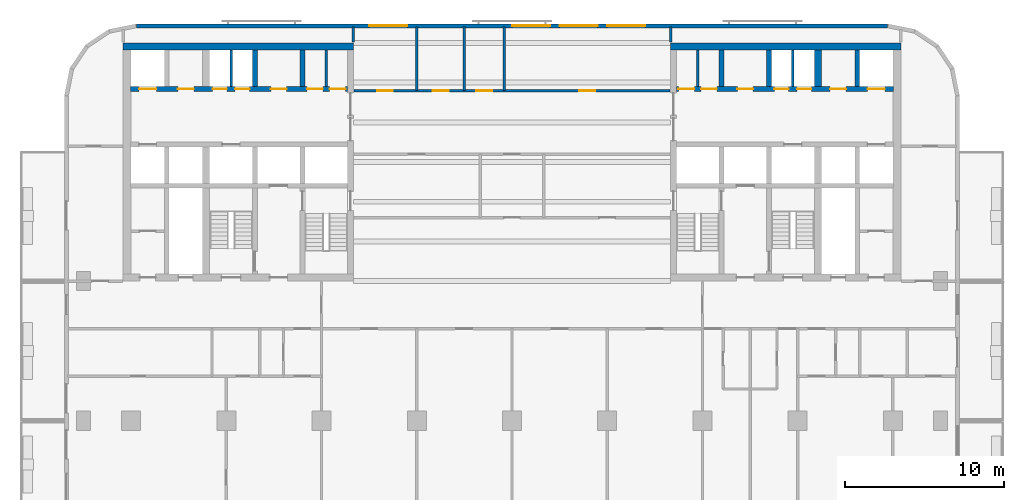
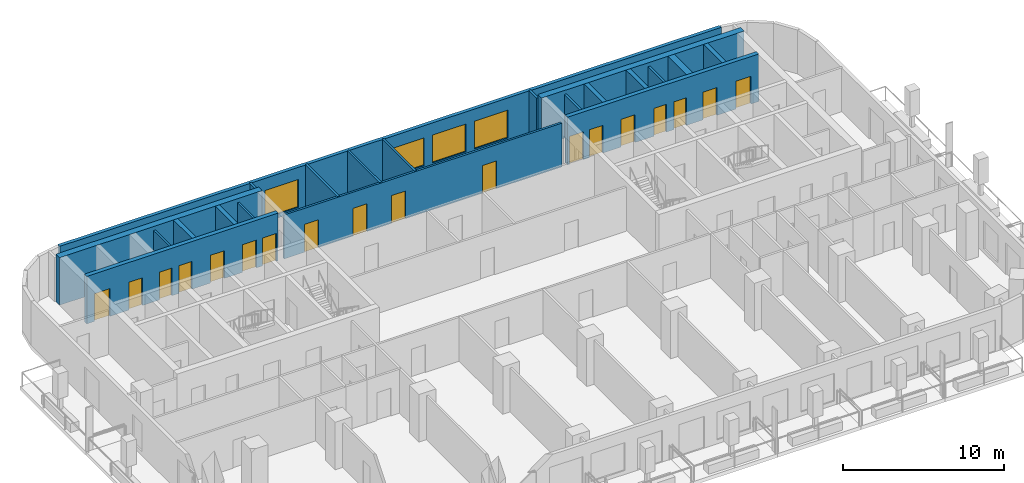
# One storey, part 7 of 12: 21 walls, 18 doors, 4 windows, 22 openings.
"""IFC4 building model written with IfcOpenShell, lengths in metres."""

from ifc_helpers import new_model, si_unit, direction, frame, frame_2d, origin, place, context, subcontext, project, spatial, rectangle, extrude, material, layer, layer_set, type_object, element, fill, save


model = new_model("IFC4")

# Units and contexts
model_context = context("Model", 3, precision=1e-05, world=origin(), true_north=direction((0.0, 1.0)))
body_context = subcontext(model_context, "Body", "Model", "MODEL_VIEW")
ifc_project = project(units=[si_unit("LENGTHUNIT", "METRE"), si_unit("AREAUNIT", "SQUARE_METRE"), si_unit("VOLUMEUNIT", "CUBIC_METRE"), si_unit("PLANEANGLEUNIT", "RADIAN"), si_unit("MASSUNIT", "GRAM", prefix="KILO")], contexts=[model_context])

# Site, building, storey
site_placement = place(None, origin())
site = spatial("IfcSite", under=ifc_project, at=site_placement, CompositionType="ELEMENT")
building_placement = place(site_placement, origin())
building = spatial("IfcBuilding", under=site, at=building_placement, Name="Torana Hotel and Residences", CompositionType="ELEMENT")
storey_placement = place(building_placement, frame((0.0, 0.0, 159.60009765625)))
storey = spatial("IfcBuildingStorey", under=building, at=storey_placement, Name="L41", CompositionType="ELEMENT", Elevation=159.60009765625)

# Wall, openings, doors
ifc_material_1 = material(Name="Concrete C70/85", Category="concrete")
ifc_layer_1 = layer(ifc_material_1, 0.300048828125)
ifc_layer_set_1 = layer_set([ifc_layer_1], Name="CORE WALL 300 C70/85")
wall_type_1 = type_object("IfcWallType", Name="CORE WALL 300 C70/85", PredefinedType="SHEAR", material=ifc_layer_set_1)
wall_1_placement = place(storey_placement, frame((-24.050048828125, -2.89990234375, 0.0), z_axis=(0.0, 0.0, 1.0), x_axis=(1.0, 0.0, 0.0)))
wall_1 = element("IfcWall", 1, at=wall_1_placement, inside=storey, type_object=wall_type_1, Name="Core wall W row-N", PredefinedType="SHEAR", context=body_context, shape_type="SweptSolid", body=[
    extrude(rectangle(XDim=13.699951171875, YDim=0.300048828125, at=frame_2d((6.85009765625, 0.0))), origin(), (0.0, 0.0, 1.0), 3.599853515625),
])
opening_1_placement = place(wall_1_placement, frame((0.550048828125, 0.0, 0.0)))
opening_1 = element("IfcOpeningElement", 2, at=opening_1_placement, cuts=wall_1, Name="Opening LD", PredefinedType="OPENING", context=body_context, shape_type="SweptSolid", body=[
    extrude(rectangle(XDim=1.10009765625, YDim=2.10009765625, at=frame_2d((0.550048828125, 1.050048828125))), frame((0.0, 0.159912109375, 0.0), z_axis=(0.0, -1.0, 0.0), x_axis=(1.0, 0.0, 0.0)), (0.0, 0.0, 1.0), 0.320068359375),
])
opening_2_placement = place(wall_1_placement, frame((6.612548828125, 0.0, 0.0)))
opening_2 = element("IfcOpeningElement", 3, at=opening_2_placement, cuts=wall_1, Name="Opening L41-08", PredefinedType="OPENING", context=body_context, shape_type="SweptSolid", body=[
    extrude(rectangle(XDim=0.89990234375, YDim=2.10009765625, at=frame_2d((0.449951171875, 1.050048828125))), frame((0.0, 0.159912109375, 0.0), z_axis=(0.0, -1.0, 0.0), x_axis=(1.0, 0.0, 0.0)), (0.0, 0.0, 1.0), 0.320068359375),
])
opening_3_placement = place(wall_1_placement, frame((5.1875, 0.0, 0.0)))
opening_3 = element("IfcOpeningElement", 4, at=opening_3_placement, cuts=wall_1, Name="Opening L41-09", PredefinedType="OPENING", context=body_context, shape_type="SweptSolid", body=[
    extrude(rectangle(XDim=0.89990234375, YDim=2.10009765625, at=frame_2d((0.449951171875, 1.050048828125))), frame((0.0, 0.159912109375, 0.0), z_axis=(0.0, -1.0, 0.0), x_axis=(1.0, 0.0, 0.0)), (0.0, 0.0, 1.0), 0.320068359375),
])
opening_4_placement = place(wall_1_placement, frame((12.5625, 0.0, 0.0)))
opening_4 = element("IfcOpeningElement", 5, at=opening_4_placement, cuts=wall_1, Name="Opening L41-10", PredefinedType="OPENING", context=body_context, shape_type="SweptSolid", body=[
    extrude(rectangle(XDim=1.0, YDim=2.10009765625, at=frame_2d((0.5, 1.050048828125))), frame((0.0, 0.159912109375, 0.0), z_axis=(0.0, -1.0, 0.0), x_axis=(1.0, 0.0, 0.0)), (0.0, 0.0, 1.0), 0.320068359375),
])
opening_5_placement = place(wall_1_placement, frame((11.137451171875, 0.0, 0.0)))
opening_5 = element("IfcOpeningElement", 6, at=opening_5_placement, cuts=wall_1, Name="Opening L41-11", PredefinedType="OPENING", context=body_context, shape_type="SweptSolid", body=[
    extrude(rectangle(XDim=1.0, YDim=2.10009765625, at=frame_2d((0.5, 1.050048828125))), frame((0.0, 0.159912109375, 0.0), z_axis=(0.0, -1.0, 0.0), x_axis=(1.0, 0.0, 0.0)), (0.0, 0.0, 1.0), 0.320068359375),
])
opening_6_placement = place(wall_1_placement, frame((8.85009765625, 0.0, 0.0)))
opening_6 = element("IfcOpeningElement", 7, at=opening_6_placement, cuts=wall_1, Name="Opening L41-12", PredefinedType="OPENING", context=body_context, shape_type="SweptSolid", body=[
    extrude(rectangle(XDim=1.0, YDim=2.10009765625, at=frame_2d((0.5, 1.050048828125))), frame((0.0, 0.159912109375, 0.0), z_axis=(0.0, -1.0, 0.0), x_axis=(1.0, 0.0, 0.0)), (0.0, 0.0, 1.0), 0.320068359375),
])
opening_7_placement = place(wall_1_placement, frame((3.0, 0.0, 0.0)))
opening_7 = element("IfcOpeningElement", 8, at=opening_7_placement, cuts=wall_1, Name="Opening L41-13", PredefinedType="OPENING", context=body_context, shape_type="SweptSolid", body=[
    extrude(rectangle(XDim=1.0, YDim=2.10009765625, at=frame_2d((0.5, 1.050048828125))), frame((0.0, 0.159912109375, 0.0), z_axis=(0.0, -1.0, 0.0), x_axis=(1.0, 0.0, 0.0)), (0.0, 0.0, 1.0), 0.320068359375),
])
ifc_material_2 = material(Name="Steel S235", Category="steel")
door_type_1 = type_object("IfcDoorType", Name="CORE ROOM FIRE DOOR D14 1000x2100", OperationType="SINGLE_SWING_LEFT", PredefinedType="DOOR", material=ifc_material_2)
door_1_placement = place(opening_4_placement, origin())
door_1 = element("IfcDoor", 9, at=door_1_placement, inside=storey, type_object=door_type_1, Name="N0A door L41", OperationType="SINGLE_SWING_RIGHT", OverallHeight=2.10009765625, OverallWidth=1.0, PredefinedType="DOOR", context=body_context, shape_type="SweptSolid", body=[
    extrude(rectangle(XDim=1.0, YDim=2.10009765625, at=frame_2d((0.5, 1.050048828125))), frame((0.0, 0.02490234375, 0.0), z_axis=(0.0, -1.0, 0.0), x_axis=(1.0, 0.0, 0.0)), (0.0, 0.0, 1.0), 0.050048828125),
])
fill(opening_4, door_1)
door_2_placement = place(opening_5_placement, origin())
door_2 = element("IfcDoor", 10, at=door_2_placement, inside=storey, type_object=door_type_1, Name="N0B door L41", OperationType="SINGLE_SWING_RIGHT", OverallHeight=2.10009765625, OverallWidth=1.0, PredefinedType="DOOR", context=body_context, shape_type="SweptSolid", body=[
    extrude(rectangle(XDim=1.0, YDim=2.10009765625, at=frame_2d((0.5, 1.050048828125))), frame((0.0, 0.02490234375, 0.0), z_axis=(0.0, -1.0, 0.0), x_axis=(1.0, 0.0, 0.0)), (0.0, 0.0, 1.0), 0.050048828125),
])
fill(opening_5, door_2)
door_3_placement = place(opening_6_placement, origin())
door_3 = element("IfcDoor", 11, at=door_3_placement, inside=storey, type_object=door_type_1, Name="N1 door L41", OperationType="SINGLE_SWING_RIGHT", OverallHeight=2.10009765625, OverallWidth=1.0, PredefinedType="DOOR", context=body_context, shape_type="SweptSolid", body=[
    extrude(rectangle(XDim=1.0, YDim=2.10009765625, at=frame_2d((0.5, 1.050048828125))), frame((0.0, 0.02490234375, 0.0), z_axis=(0.0, -1.0, 0.0), x_axis=(1.0, 0.0, 0.0)), (0.0, 0.0, 1.0), 0.050048828125),
])
fill(opening_6, door_3)
door_4_placement = place(opening_7_placement, origin())
door_4 = element("IfcDoor", 12, at=door_4_placement, inside=storey, type_object=door_type_1, Name="Freed-S1 door L41", OperationType="SINGLE_SWING_RIGHT", OverallHeight=2.10009765625, OverallWidth=1.0, PredefinedType="DOOR", context=body_context, shape_type="SweptSolid", body=[
    extrude(rectangle(XDim=1.0, YDim=2.10009765625, at=frame_2d((0.5, 1.050048828125))), frame((0.0, 0.02490234375, 0.0), z_axis=(0.0, -1.0, 0.0), x_axis=(1.0, 0.0, 0.0)), (0.0, 0.0, 1.0), 0.050048828125),
])
fill(opening_7, door_4)
ifc_material_3 = material(Name="Stainless steel 316", Category="steel")
door_type_2 = type_object("IfcDoorType", Name="LIFT LANDING DOOR LD 1100x2100", OperationType="DOUBLE_DOOR_SLIDING", PredefinedType="USERDEFINED", material=ifc_material_3)
door_5_placement = place(opening_1_placement, origin())
door_5 = element("IfcDoor", 13, at=door_5_placement, inside=storey, type_object=door_type_2, Name="Lift landing door M1 L41", ObjectType="LIFT LANDING DOOR", OperationType="DOUBLE_DOOR_SLIDING", OverallHeight=2.10009765625, OverallWidth=1.10009765625, PredefinedType="USERDEFINED", context=body_context, shape_type="SweptSolid", body=[
    extrude(rectangle(XDim=1.10009765625, YDim=2.10009765625, at=frame_2d((0.550048828125, 1.050048828125))), frame((0.0, 0.02490234375, 0.0), z_axis=(0.0, -1.0, 0.0), x_axis=(1.0, 0.0, 0.0)), (0.0, 0.0, 1.0), 0.050048828125),
])
fill(opening_1, door_5)
ifc_material_4 = material(Name="Steel S235", Category="steel")
door_type_3 = type_object("IfcDoorType", Name="RISER ACCESS DOOR D5 900x2100", OperationType="SINGLE_SWING_LEFT", PredefinedType="DOOR", material=ifc_material_4)
door_6_placement = place(opening_2_placement, origin())
door_6 = element("IfcDoor", 14, at=door_6_placement, inside=storey, type_object=door_type_3, Name="N2A door L41", OperationType="SINGLE_SWING_RIGHT", OverallHeight=2.10009765625, OverallWidth=0.89990234375, PredefinedType="DOOR", context=body_context, shape_type="SweptSolid", body=[
    extrude(rectangle(XDim=0.89990234375, YDim=2.10009765625, at=frame_2d((0.449951171875, 1.050048828125))), frame((0.0, 0.02490234375, 0.0), z_axis=(0.0, -1.0, 0.0), x_axis=(1.0, 0.0, 0.0)), (0.0, 0.0, 1.0), 0.050048828125),
])
fill(opening_2, door_6)
door_7_placement = place(opening_3_placement, origin())
door_7 = element("IfcDoor", 15, at=door_7_placement, inside=storey, type_object=door_type_3, Name="N2B door L41", OperationType="SINGLE_SWING_RIGHT", OverallHeight=2.10009765625, OverallWidth=0.89990234375, PredefinedType="DOOR", context=body_context, shape_type="SweptSolid", body=[
    extrude(rectangle(XDim=0.89990234375, YDim=2.10009765625, at=frame_2d((0.449951171875, 1.050048828125))), frame((0.0, 0.02490234375, 0.0), z_axis=(0.0, -1.0, 0.0), x_axis=(1.0, 0.0, 0.0)), (0.0, 0.0, 1.0), 0.050048828125),
])
fill(opening_3, door_7)

# Walls
for number, where, z_axis, x_axis, name in (
    (16, (-13.199951171875, -2.75, 0.0), (0.0, 0.0, 1.0), (0.0, 1.0, 0.0), "Core wall W x3.05-N"),
    (17, (-16.199951171875, -2.75, 0.0), (0.0, 0.0, 1.0), (0.0, 1.0, 0.0), "Core wall W x6.05-N"),
):
    element("IfcWall", number, at=place(storey_placement, frame(where, z_axis=z_axis, x_axis=x_axis)), inside=storey, type_object=wall_type_1, Name=name, PredefinedType="SHEAR", context=body_context, shape_type="SweptSolid", body=[
        extrude(rectangle(XDim=2.300048828125, YDim=0.300048828125, at=frame_2d((1.14990234375, 0.0))), origin(), (0.0, 0.0, 1.0), 3.599853515625),
    ])

# Wall, openings, doors
wall_2_placement = place(storey_placement, frame((10.35009765625, -2.89990234375, 0.0), z_axis=(0.0, 0.0, 1.0), x_axis=(1.0, 0.0, 0.0)))
wall_2 = element("IfcWall", 18, at=wall_2_placement, inside=storey, type_object=wall_type_1, Name="Core wall E row-N", PredefinedType="SHEAR", context=body_context, shape_type="SweptSolid", body=[
    extrude(rectangle(XDim=13.699951171875, YDim=0.300048828125, at=frame_2d((6.85009765625, 0.0))), origin(), (0.0, 0.0, 1.0), 3.599853515625),
])
opening_8_placement = place(wall_2_placement, frame((12.050048828125, 0.0, 0.0)))
opening_8 = element("IfcOpeningElement", 19, at=opening_8_placement, cuts=wall_2, Name="Opening LD", PredefinedType="OPENING", context=body_context, shape_type="SweptSolid", body=[
    extrude(rectangle(XDim=1.10009765625, YDim=2.10009765625, at=frame_2d((0.550048828125, 1.050048828125))), frame((0.0, 0.159912109375, 0.0), z_axis=(0.0, -1.0, 0.0), x_axis=(1.0, 0.0, 0.0)), (0.0, 0.0, 1.0), 0.320068359375),
])
opening_9_placement = place(wall_2_placement, frame((6.1875, 0.0, 0.0)))
opening_9 = element("IfcOpeningElement", 20, at=opening_9_placement, cuts=wall_2, Name="Opening L41-23", PredefinedType="OPENING", context=body_context, shape_type="SweptSolid", body=[
    extrude(rectangle(XDim=0.89990234375, YDim=2.10009765625, at=frame_2d((0.449951171875, 1.050048828125))), frame((0.0, 0.159912109375, 0.0), z_axis=(0.0, -1.0, 0.0), x_axis=(1.0, 0.0, 0.0)), (0.0, 0.0, 1.0), 0.320068359375),
])
opening_10_placement = place(wall_2_placement, frame((7.612548828125, 0.0, 0.0)))
opening_10 = element("IfcOpeningElement", 21, at=opening_10_placement, cuts=wall_2, Name="Opening L41-24", PredefinedType="OPENING", context=body_context, shape_type="SweptSolid", body=[
    extrude(rectangle(XDim=0.89990234375, YDim=2.10009765625, at=frame_2d((0.449951171875, 1.050048828125))), frame((0.0, 0.159912109375, 0.0), z_axis=(0.0, -1.0, 0.0), x_axis=(1.0, 0.0, 0.0)), (0.0, 0.0, 1.0), 0.320068359375),
])
opening_11_placement = place(wall_2_placement, frame((0.137451171875, 0.0, 0.0)))
opening_11 = element("IfcOpeningElement", 22, at=opening_11_placement, cuts=wall_2, Name="Opening L41-25", PredefinedType="OPENING", context=body_context, shape_type="SweptSolid", body=[
    extrude(rectangle(XDim=1.0, YDim=2.10009765625, at=frame_2d((0.5, 1.050048828125))), frame((0.0, 0.159912109375, 0.0), z_axis=(0.0, -1.0, 0.0), x_axis=(1.0, 0.0, 0.0)), (0.0, 0.0, 1.0), 0.320068359375),
])
opening_12_placement = place(wall_2_placement, frame((1.5625, 0.0, 0.0)))
opening_12 = element("IfcOpeningElement", 23, at=opening_12_placement, cuts=wall_2, Name="Opening L41-26", PredefinedType="OPENING", context=body_context, shape_type="SweptSolid", body=[
    extrude(rectangle(XDim=1.0, YDim=2.10009765625, at=frame_2d((0.5, 1.050048828125))), frame((0.0, 0.159912109375, 0.0), z_axis=(0.0, -1.0, 0.0), x_axis=(1.0, 0.0, 0.0)), (0.0, 0.0, 1.0), 0.320068359375),
])
opening_13_placement = place(wall_2_placement, frame((3.85009765625, 0.0, 0.0)))
opening_13 = element("IfcOpeningElement", 24, at=opening_13_placement, cuts=wall_2, Name="Opening L41-27", PredefinedType="OPENING", context=body_context, shape_type="SweptSolid", body=[
    extrude(rectangle(XDim=1.0, YDim=2.10009765625, at=frame_2d((0.5, 1.050048828125))), frame((0.0, 0.159912109375, 0.0), z_axis=(0.0, -1.0, 0.0), x_axis=(1.0, 0.0, 0.0)), (0.0, 0.0, 1.0), 0.320068359375),
])
opening_14_placement = place(wall_2_placement, frame((9.699951171875, 0.0, 0.0)))
opening_14 = element("IfcOpeningElement", 25, at=opening_14_placement, cuts=wall_2, Name="Opening L41-28", PredefinedType="OPENING", context=body_context, shape_type="SweptSolid", body=[
    extrude(rectangle(XDim=1.0, YDim=2.10009765625, at=frame_2d((0.5, 1.050048828125))), frame((0.0, 0.159912109375, 0.0), z_axis=(0.0, -1.0, 0.0), x_axis=(1.0, 0.0, 0.0)), (0.0, 0.0, 1.0), 0.320068359375),
])
door_8_placement = place(opening_11_placement, origin())
door_8 = element("IfcDoor", 26, at=door_8_placement, inside=storey, type_object=door_type_1, Name="N0A door L41", OperationType="SINGLE_SWING_RIGHT", OverallHeight=2.10009765625, OverallWidth=1.0, PredefinedType="DOOR", context=body_context, shape_type="SweptSolid", body=[
    extrude(rectangle(XDim=1.0, YDim=2.10009765625, at=frame_2d((0.5, 1.050048828125))), frame((0.0, 0.02490234375, 0.0), z_axis=(0.0, -1.0, 0.0), x_axis=(1.0, 0.0, 0.0)), (0.0, 0.0, 1.0), 0.050048828125),
])
fill(opening_11, door_8)
door_9_placement = place(opening_12_placement, origin())
door_9 = element("IfcDoor", 27, at=door_9_placement, inside=storey, type_object=door_type_1, Name="N0B door L41", OperationType="SINGLE_SWING_RIGHT", OverallHeight=2.10009765625, OverallWidth=1.0, PredefinedType="DOOR", context=body_context, shape_type="SweptSolid", body=[
    extrude(rectangle(XDim=1.0, YDim=2.10009765625, at=frame_2d((0.5, 1.050048828125))), frame((0.0, 0.02490234375, 0.0), z_axis=(0.0, -1.0, 0.0), x_axis=(1.0, 0.0, 0.0)), (0.0, 0.0, 1.0), 0.050048828125),
])
fill(opening_12, door_9)
door_10_placement = place(opening_13_placement, origin())
door_10 = element("IfcDoor", 28, at=door_10_placement, inside=storey, type_object=door_type_1, Name="N1 door L41", OperationType="SINGLE_SWING_RIGHT", OverallHeight=2.10009765625, OverallWidth=1.0, PredefinedType="DOOR", context=body_context, shape_type="SweptSolid", body=[
    extrude(rectangle(XDim=1.0, YDim=2.10009765625, at=frame_2d((0.5, 1.050048828125))), frame((0.0, 0.02490234375, 0.0), z_axis=(0.0, -1.0, 0.0), x_axis=(1.0, 0.0, 0.0)), (0.0, 0.0, 1.0), 0.050048828125),
])
fill(opening_13, door_10)
door_11_placement = place(opening_14_placement, origin())
door_11 = element("IfcDoor", 29, at=door_11_placement, inside=storey, type_object=door_type_1, Name="Freed-S2 door L41", OperationType="SINGLE_SWING_RIGHT", OverallHeight=2.10009765625, OverallWidth=1.0, PredefinedType="DOOR", context=body_context, shape_type="SweptSolid", body=[
    extrude(rectangle(XDim=1.0, YDim=2.10009765625, at=frame_2d((0.5, 1.050048828125))), frame((0.0, 0.02490234375, 0.0), z_axis=(0.0, -1.0, 0.0), x_axis=(1.0, 0.0, 0.0)), (0.0, 0.0, 1.0), 0.050048828125),
])
fill(opening_14, door_11)
door_12_placement = place(opening_8_placement, origin())
door_12 = element("IfcDoor", 30, at=door_12_placement, inside=storey, type_object=door_type_2, Name="Lift landing door M3 L41", ObjectType="LIFT LANDING DOOR", OperationType="DOUBLE_DOOR_SLIDING", OverallHeight=2.10009765625, OverallWidth=1.10009765625, PredefinedType="USERDEFINED", context=body_context, shape_type="SweptSolid", body=[
    extrude(rectangle(XDim=1.10009765625, YDim=2.10009765625, at=frame_2d((0.550048828125, 1.050048828125))), frame((0.0, 0.02490234375, 0.0), z_axis=(0.0, -1.0, 0.0), x_axis=(1.0, 0.0, 0.0)), (0.0, 0.0, 1.0), 0.050048828125),
])
fill(opening_8, door_12)
door_13_placement = place(opening_9_placement, origin())
door_13 = element("IfcDoor", 31, at=door_13_placement, inside=storey, type_object=door_type_3, Name="N2A door L41", OperationType="SINGLE_SWING_RIGHT", OverallHeight=2.10009765625, OverallWidth=0.89990234375, PredefinedType="DOOR", context=body_context, shape_type="SweptSolid", body=[
    extrude(rectangle(XDim=0.89990234375, YDim=2.10009765625, at=frame_2d((0.449951171875, 1.050048828125))), frame((0.0, 0.02490234375, 0.0), z_axis=(0.0, -1.0, 0.0), x_axis=(1.0, 0.0, 0.0)), (0.0, 0.0, 1.0), 0.050048828125),
])
fill(opening_9, door_13)
door_14_placement = place(opening_10_placement, origin())
door_14 = element("IfcDoor", 32, at=door_14_placement, inside=storey, type_object=door_type_3, Name="N2B door L41", OperationType="SINGLE_SWING_RIGHT", OverallHeight=2.10009765625, OverallWidth=0.89990234375, PredefinedType="DOOR", context=body_context, shape_type="SweptSolid", body=[
    extrude(rectangle(XDim=0.89990234375, YDim=2.10009765625, at=frame_2d((0.449951171875, 1.050048828125))), frame((0.0, 0.02490234375, 0.0), z_axis=(0.0, -1.0, 0.0), x_axis=(1.0, 0.0, 0.0)), (0.0, 0.0, 1.0), 0.050048828125),
])
fill(opening_10, door_14)

# Walls
for number, where, z_axis, x_axis, name in (
    (33, (13.199951171875, -2.75, 0.0), (0.0, 0.0, 1.0), (0.0, 1.0, 0.0), "Core wall E x3.05-N"),
    (34, (16.199951171875, -2.75, 0.0), (0.0, 0.0, 1.0), (0.0, 1.0, 0.0), "Core wall E x6.05-N"),
    (35, (21.75, -2.75, 0.0), (0.0, 0.0, 1.0), (0.0, 1.0, 0.0), "Core wall E mm-N"),
):
    element("IfcWall", number, at=place(storey_placement, frame(where, z_axis=z_axis, x_axis=x_axis)), inside=storey, type_object=wall_type_1, Name=name, PredefinedType="SHEAR", context=body_context, shape_type="SweptSolid", body=[
        extrude(rectangle(XDim=2.300048828125, YDim=0.300048828125, at=frame_2d((1.14990234375, 0.0))), origin(), (0.0, 0.0, 1.0), 3.599853515625),
    ])
ifc_material_5 = material(Name="Concrete C70/85", Category="concrete")
ifc_layer_2 = layer(ifc_material_5, 0.449951171875)
ifc_layer_set_2 = layer_set([ifc_layer_2], Name="CORE WALL 450 C70/85")
wall_type_2 = type_object("IfcWallType", Name="CORE WALL 450 C70/85", PredefinedType="SHEAR", material=ifc_layer_set_2)
for number, where, z_axis, x_axis, name in (
    (36, (-24.5, -0.22509765625, 0.0), (0.0, 0.0, 1.0), (1.0, 0.0, 0.0), "Core wall W rear"),
    (37, (10.0, -0.22509765625, 0.0), (0.0, 0.0, 1.0), (1.0, 0.0, 0.0), "Core wall E rear"),
):
    element("IfcWall", number, at=place(storey_placement, frame(where, z_axis=z_axis, x_axis=x_axis)), inside=storey, type_object=wall_type_2, Name=name, PredefinedType="SHEAR", context=body_context, shape_type="SweptSolid", body=[
        extrude(rectangle(XDim=14.5, YDim=0.449951171875, at=frame_2d((7.25, 0.0))), origin(), (0.0, 0.0, 1.0), 3.599853515625),
    ])
wall_3_placement = place(storey_placement, frame((19.27490234375, -2.75, 0.0), z_axis=(0.0, 0.0, 1.0), x_axis=(0.0, 1.0, 0.0)))
element("IfcWall", 38, at=wall_3_placement, inside=storey, type_object=wall_type_2, Name="Core wall E hm-N", PredefinedType="SHEAR", context=body_context, shape_type="SweptSolid", body=[
    extrude(rectangle(XDim=2.300048828125, YDim=0.449951171875, at=frame_2d((1.14990234375, 0.0))), origin(), (0.0, 0.0, 1.0), 3.599853515625),
])

# Wall, openings, windows
ifc_material_6 = material(Name="Concrete C40/50 precast", Category="concrete")
ifc_layer_3 = layer(ifc_material_6, 0.10009765625, Name="Perforated block", Category="cladding")
ifc_material_7 = material(Name="Air cavity")
ifc_layer_4 = layer(ifc_material_7, 0.030029296875, Name="Cavity", Category="cavity")
ifc_material_8 = material(Name="Concrete C40/50", Category="concrete")
ifc_layer_5 = layer(ifc_material_8, 0.10009765625, Name="Wall", Category="structure")
ifc_material_9 = material(Name="Plaster and paint")
ifc_layer_6 = layer(ifc_material_9, 0.02001953125, Name="Inner finish", Category="finish")
ifc_layer_set_3 = layer_set([ifc_layer_3, ifc_layer_4, ifc_layer_5, ifc_layer_6], Name="EW2 PERFORATED BLOCK SCREEN WALL 250")
wall_type_3 = type_object("IfcWallType", Name="EW2 PERFORATED BLOCK SCREEN WALL 250", PredefinedType="SOLIDWALL", material=ifc_layer_set_3)
wall_4_placement = place(storey_placement, frame((23.67529296875, 1.074951171875, 0.0), z_axis=(0.0, 0.0, 1.0), x_axis=(-1.0, 0.0, 0.0)))
wall_4 = element("IfcWall", 39, at=wall_4_placement, inside=storey, type_object=wall_type_3, Name="External wall L41 e0.4", PredefinedType="SOLIDWALL", context=body_context, shape_type="SweptSolid", body=[
    extrude(rectangle(XDim=47.3505859375, YDim=0.25, at=frame_2d((23.67529296875, 0.0))), origin(), (0.0, 0.0, 1.0), 3.31982421875),
])
opening_15_placement = place(wall_4_placement, frame((15.275390625, 0.0, 0.300048828125)))
opening_15 = element("IfcOpeningElement", 40, at=opening_15_placement, cuts=wall_4, Name="Opening W1", PredefinedType="OPENING", context=body_context, shape_type="SweptSolid", body=[
    extrude(rectangle(XDim=2.39990234375, YDim=2.10009765625, at=frame_2d((1.199951171875, 1.050048828125))), frame((0.0, 0.135009765625, 0.0), z_axis=(0.0, -1.0, 0.0), x_axis=(1.0, 0.0, 0.0)), (0.0, 0.0, 1.0), 0.27001953125),
])
opening_16_placement = place(wall_4_placement, frame((18.275390625, 0.0, 0.300048828125)))
opening_16 = element("IfcOpeningElement", 41, at=opening_16_placement, cuts=wall_4, Name="Opening W1", PredefinedType="OPENING", context=body_context, shape_type="SweptSolid", body=[
    extrude(rectangle(XDim=2.39990234375, YDim=2.10009765625, at=frame_2d((1.199951171875, 1.050048828125))), frame((0.0, 0.135009765625, 0.0), z_axis=(0.0, -1.0, 0.0), x_axis=(1.0, 0.0, 0.0)), (0.0, 0.0, 1.0), 0.27001953125),
])
opening_17_placement = place(wall_4_placement, frame((21.275390625, 0.0, 0.300048828125)))
opening_17 = element("IfcOpeningElement", 42, at=opening_17_placement, cuts=wall_4, Name="Opening W1", PredefinedType="OPENING", context=body_context, shape_type="SweptSolid", body=[
    extrude(rectangle(XDim=2.39990234375, YDim=2.10009765625, at=frame_2d((1.199951171875, 1.050048828125))), frame((0.0, 0.135009765625, 0.0), z_axis=(0.0, -1.0, 0.0), x_axis=(1.0, 0.0, 0.0)), (0.0, 0.0, 1.0), 0.27001953125),
])
opening_18_placement = place(wall_4_placement, frame((30.275390625, 0.0, 0.300048828125)))
opening_18 = element("IfcOpeningElement", 43, at=opening_18_placement, cuts=wall_4, Name="Opening W1", PredefinedType="OPENING", context=body_context, shape_type="SweptSolid", body=[
    extrude(rectangle(XDim=2.39990234375, YDim=2.10009765625, at=frame_2d((1.199951171875, 1.050048828125))), frame((0.0, 0.135009765625, 0.0), z_axis=(0.0, -1.0, 0.0), x_axis=(1.0, 0.0, 0.0)), (0.0, 0.0, 1.0), 0.27001953125),
])
ifc_material_10 = material(Name="Dark glass in black aluminium frame", Category="aluminium")
window_type = type_object("IfcWindowType", Name="W1 HOTEL ROOM WINDOW 2400x2100", PartitioningType="SINGLE_PANEL", PredefinedType="WINDOW", material=ifc_material_10)
window_1_placement = place(opening_15_placement, origin())
window_1 = element("IfcWindow", 44, at=window_1_placement, inside=storey, type_object=window_type, Name="Window L41", OverallHeight=2.10009765625, OverallWidth=2.39990234375, PartitioningType="SINGLE_PANEL", PredefinedType="WINDOW", context=body_context, shape_type="SweptSolid", body=[
    extrude(rectangle(XDim=2.39990234375, YDim=2.10009765625, at=frame_2d((1.199951171875, 1.050048828125))), frame((0.0, 0.030029296875, 0.0), z_axis=(0.0, -1.0, 0.0), x_axis=(1.0, 0.0, 0.0)), (0.0, 0.0, 1.0), 0.06005859375),
])
fill(opening_15, window_1)
window_2_placement = place(opening_16_placement, origin())
window_2 = element("IfcWindow", 45, at=window_2_placement, inside=storey, type_object=window_type, Name="Window L41", OverallHeight=2.10009765625, OverallWidth=2.39990234375, PartitioningType="SINGLE_PANEL", PredefinedType="WINDOW", context=body_context, shape_type="SweptSolid", body=[
    extrude(rectangle(XDim=2.39990234375, YDim=2.10009765625, at=frame_2d((1.199951171875, 1.050048828125))), frame((0.0, 0.030029296875, 0.0), z_axis=(0.0, -1.0, 0.0), x_axis=(1.0, 0.0, 0.0)), (0.0, 0.0, 1.0), 0.06005859375),
])
fill(opening_16, window_2)
window_3_placement = place(opening_17_placement, origin())
window_3 = element("IfcWindow", 46, at=window_3_placement, inside=storey, type_object=window_type, Name="Window L41", OverallHeight=2.10009765625, OverallWidth=2.39990234375, PartitioningType="SINGLE_PANEL", PredefinedType="WINDOW", context=body_context, shape_type="SweptSolid", body=[
    extrude(rectangle(XDim=2.39990234375, YDim=2.10009765625, at=frame_2d((1.199951171875, 1.050048828125))), frame((0.0, 0.030029296875, 0.0), z_axis=(0.0, -1.0, 0.0), x_axis=(1.0, 0.0, 0.0)), (0.0, 0.0, 1.0), 0.06005859375),
])
fill(opening_17, window_3)
window_4_placement = place(opening_18_placement, origin())
window_4 = element("IfcWindow", 47, at=window_4_placement, inside=storey, type_object=window_type, Name="Window L41", OverallHeight=2.10009765625, OverallWidth=2.39990234375, PartitioningType="SINGLE_PANEL", PredefinedType="WINDOW", context=body_context, shape_type="SweptSolid", body=[
    extrude(rectangle(XDim=2.39990234375, YDim=2.10009765625, at=frame_2d((1.199951171875, 1.050048828125))), frame((0.0, 0.030029296875, 0.0), z_axis=(0.0, -1.0, 0.0), x_axis=(1.0, 0.0, 0.0)), (0.0, 0.0, 1.0), 0.06005859375),
])
fill(opening_18, window_4)

# Walls
ifc_material_11 = material(Name="Gypsum plaster")
ifc_layer_7 = layer(ifc_material_11, 0.014892578125, Name="Plaster", Category="finish")
ifc_material_12 = material(Name="Concrete blockwork", Category="masonry")
ifc_layer_8 = layer(ifc_material_12, 0.1201171875, Name="Blockwork", Category="structure")
ifc_layer_9 = layer(ifc_material_11, 0.014892578125, Name="Plaster", Category="finish")
ifc_layer_set_4 = layer_set([ifc_layer_7, ifc_layer_8, ifc_layer_9], Name="FIRE PARTITION 150 BLOCKWORK")
wall_type_4 = type_object("IfcWallType", Name="FIRE PARTITION 150 BLOCKWORK", PredefinedType="PARTITIONING", material=ifc_layer_set_4)
for number, where, z_axis, x_axis, name in (
    (48, (-17.699951171875, -2.75, 0.0), (0.0, 0.0, 1.0), (0.0, 1.0, 0.0), "Core partition L41"),
    (49, (-11.699951171875, -2.75, 0.0), (0.0, 0.0, 1.0), (0.0, 1.0, 0.0), "Core partition L41"),
    (50, (17.699951171875, -2.75, 0.0), (0.0, 0.0, 1.0), (0.0, 1.0, 0.0), "Core partition L41"),
    (51, (11.699951171875, -2.75, 0.0), (0.0, 0.0, 1.0), (0.0, 1.0, 0.0), "Core partition L41"),
):
    element("IfcWall", number, at=place(storey_placement, frame(where, z_axis=z_axis, x_axis=x_axis)), inside=storey, type_object=wall_type_4, Name=name, PredefinedType="PARTITIONING", context=body_context, shape_type="SweptSolid", body=[
        extrude(rectangle(XDim=2.300048828125, YDim=0.14990234375, at=frame_2d((1.14990234375, 0.0))), origin(), (0.0, 0.0, 1.0), 3.2998046875),
    ])

# Wall, openings, doors
wall_5_placement = place(storey_placement, frame((-9.949951171875, -3.0, 0.0), z_axis=(0.0, 0.0, 1.0), x_axis=(1.0, 0.0, 0.0)))
wall_5 = element("IfcWall", 52, at=wall_5_placement, inside=storey, type_object=wall_type_4, Name="Partition L41", PredefinedType="PARTITIONING", context=body_context, shape_type="SweptSolid", body=[
    extrude(rectangle(XDim=19.89990234375, YDim=0.14990234375, at=frame_2d((9.949951171875, 0.0))), origin(), (0.0, 0.0, 1.0), 3.31982421875),
])
opening_19_placement = place(wall_5_placement, frame((1.449951171875, 0.0, 0.0)))
opening_19 = element("IfcOpeningElement", 53, at=opening_19_placement, cuts=wall_5, Name="Opening L41-49", PredefinedType="OPENING", context=body_context, shape_type="SweptSolid", body=[
    extrude(rectangle(XDim=1.0, YDim=2.10009765625, at=frame_2d((0.5, 1.050048828125))), frame((0.0, 0.0849609375, 0.0), z_axis=(0.0, -1.0, 0.0), x_axis=(1.0, 0.0, 0.0)), (0.0, 0.0, 1.0), 0.169921875),
])
opening_20_placement = place(wall_5_placement, frame((4.949951171875, 0.0, 0.0)))
opening_20 = element("IfcOpeningElement", 54, at=opening_20_placement, cuts=wall_5, Name="Opening L41-50", PredefinedType="OPENING", context=body_context, shape_type="SweptSolid", body=[
    extrude(rectangle(XDim=1.0, YDim=2.10009765625, at=frame_2d((0.5, 1.050048828125))), frame((0.0, 0.0849609375, 0.0), z_axis=(0.0, -1.0, 0.0), x_axis=(1.0, 0.0, 0.0)), (0.0, 0.0, 1.0), 0.169921875),
])
opening_21_placement = place(wall_5_placement, frame((7.699951171875, 0.0, 0.0)))
opening_21 = element("IfcOpeningElement", 55, at=opening_21_placement, cuts=wall_5, Name="Opening L41-51", PredefinedType="OPENING", context=body_context, shape_type="SweptSolid", body=[
    extrude(rectangle(XDim=1.0, YDim=2.10009765625, at=frame_2d((0.5, 1.050048828125))), frame((0.0, 0.0849609375, 0.0), z_axis=(0.0, -1.0, 0.0), x_axis=(1.0, 0.0, 0.0)), (0.0, 0.0, 1.0), 0.169921875),
])
opening_22_placement = place(wall_5_placement, frame((14.199951171875, 0.0, 0.0)))
opening_22 = element("IfcOpeningElement", 56, at=opening_22_placement, cuts=wall_5, Name="Opening L41-52", PredefinedType="OPENING", context=body_context, shape_type="SweptSolid", body=[
    extrude(rectangle(XDim=1.0, YDim=2.10009765625, at=frame_2d((0.5, 1.050048828125))), frame((0.0, 0.0849609375, 0.0), z_axis=(0.0, -1.0, 0.0), x_axis=(1.0, 0.0, 0.0)), (0.0, 0.0, 1.0), 0.169921875),
])
ifc_material_13 = material(Name="Steel S235", Category="steel")
door_type_4 = type_object("IfcDoorType", Name="ENTRY FIRE DOOR D6 1000x2100", OperationType="SINGLE_SWING_LEFT", PredefinedType="DOOR", material=ifc_material_13)
door_15_placement = place(opening_19_placement, origin())
door_15 = element("IfcDoor", 57, at=door_15_placement, inside=storey, type_object=door_type_4, Name="Door L41", OperationType="SINGLE_SWING_RIGHT", OverallHeight=2.10009765625, OverallWidth=1.0, PredefinedType="DOOR", context=body_context, shape_type="SweptSolid", body=[
    extrude(rectangle(XDim=1.0, YDim=2.10009765625, at=frame_2d((0.5, 1.050048828125))), frame((0.0, 0.02490234375, 0.0), z_axis=(0.0, -1.0, 0.0), x_axis=(1.0, 0.0, 0.0)), (0.0, 0.0, 1.0), 0.050048828125),
])
fill(opening_19, door_15)
door_16_placement = place(opening_20_placement, origin())
door_16 = element("IfcDoor", 58, at=door_16_placement, inside=storey, type_object=door_type_4, Name="Door L41", OperationType="SINGLE_SWING_RIGHT", OverallHeight=2.10009765625, OverallWidth=1.0, PredefinedType="DOOR", context=body_context, shape_type="SweptSolid", body=[
    extrude(rectangle(XDim=1.0, YDim=2.10009765625, at=frame_2d((0.5, 1.050048828125))), frame((0.0, 0.02490234375, 0.0), z_axis=(0.0, -1.0, 0.0), x_axis=(1.0, 0.0, 0.0)), (0.0, 0.0, 1.0), 0.050048828125),
])
fill(opening_20, door_16)
door_17_placement = place(opening_21_placement, origin())
door_17 = element("IfcDoor", 59, at=door_17_placement, inside=storey, type_object=door_type_4, Name="Door L41", OperationType="SINGLE_SWING_RIGHT", OverallHeight=2.10009765625, OverallWidth=1.0, PredefinedType="DOOR", context=body_context, shape_type="SweptSolid", body=[
    extrude(rectangle(XDim=1.0, YDim=2.10009765625, at=frame_2d((0.5, 1.050048828125))), frame((0.0, 0.02490234375, 0.0), z_axis=(0.0, -1.0, 0.0), x_axis=(1.0, 0.0, 0.0)), (0.0, 0.0, 1.0), 0.050048828125),
])
fill(opening_21, door_17)
door_18_placement = place(opening_22_placement, origin())
door_18 = element("IfcDoor", 60, at=door_18_placement, inside=storey, type_object=door_type_4, Name="Door L41", OperationType="SINGLE_SWING_RIGHT", OverallHeight=2.10009765625, OverallWidth=1.0, PredefinedType="DOOR", context=body_context, shape_type="SweptSolid", body=[
    extrude(rectangle(XDim=1.0, YDim=2.10009765625, at=frame_2d((0.5, 1.050048828125))), frame((0.0, 0.02490234375, 0.0), z_axis=(0.0, -1.0, 0.0), x_axis=(1.0, 0.0, 0.0)), (0.0, 0.0, 1.0), 0.050048828125),
])
fill(opening_22, door_18)

# Walls
ifc_material_14 = material(Name="Gypsum plasterboard")
ifc_layer_10 = layer(ifc_material_14, 0.012451171875, Name="Plasterboard", Category="finish")
ifc_layer_11 = layer(ifc_material_14, 0.012451171875, Name="Plasterboard", Category="finish")
ifc_material_15 = material(Name="Steel S280GD", Category="steel")
ifc_layer_12 = layer(ifc_material_15, 0.10009765625, Name="Steel studs with mineral wool", Category="insulation")
ifc_layer_13 = layer(ifc_material_14, 0.012451171875, Name="Plasterboard", Category="finish")
ifc_layer_14 = layer(ifc_material_14, 0.012451171875, Name="Plasterboard", Category="finish")
ifc_layer_set_5 = layer_set([ifc_layer_10, ifc_layer_11, ifc_layer_12, ifc_layer_13, ifc_layer_14], Name="PARTITION 150 PLASTERBOARD")
wall_type_5 = type_object("IfcWallType", Name="PARTITION 150 PLASTERBOARD", PredefinedType="PARTITIONING", material=ifc_layer_set_5)
for number, where, z_axis, x_axis, name in (
    (61, (10.0, 0.050048828125, 0.0), (0.0, 0.0, 1.0), (0.0, 1.0, 0.0), "Partition L41"),
    (62, (-10.0, 0.050048828125, 0.0), (0.0, 0.0, 1.0), (0.0, 1.0, 0.0), "Partition L41"),
):
    element("IfcWall", number, at=place(storey_placement, frame(where, z_axis=z_axis, x_axis=x_axis)), inside=storey, type_object=wall_type_5, Name=name, PredefinedType="PARTITIONING", context=body_context, shape_type="SweptSolid", body=[
        extrude(rectangle(XDim=0.969970703125, YDim=0.14990234375, at=frame_2d((0.48486328125, 0.0))), origin(), (0.0, 0.0, 1.0), 3.31982421875),
    ])
ifc_material_16 = material(Name="Ceramic tile on adhesive")
ifc_layer_15 = layer(ifc_material_16, 0.010009765625, Name="Wall tile", Category="finish")
ifc_material_17 = material(Name="Cement render")
ifc_layer_16 = layer(ifc_material_17, 0.010009765625, Name="Render", Category="finish")
ifc_layer_17 = layer(ifc_material_12, 0.110107421875, Name="Blockwork", Category="structure")
ifc_layer_18 = layer(ifc_material_17, 0.010009765625, Name="Render", Category="finish")
ifc_layer_19 = layer(ifc_material_16, 0.010009765625, Name="Wall tile", Category="finish")
ifc_layer_set_6 = layer_set([ifc_layer_15, ifc_layer_16, ifc_layer_17, ifc_layer_18, ifc_layer_19], Name="WC PARTITION 150")
wall_type_6 = type_object("IfcWallType", Name="WC PARTITION 150", PredefinedType="PLUMBINGWALL", material=ifc_layer_set_6)
for number, where, z_axis, x_axis, name in (
    (63, (-0.5, -3.0, 0.0), (0.0, 0.0, 1.0), (0.0, 1.0, 0.0), "Partition L41"),
    (64, (-3.0, -3.0, 0.0), (0.0, 0.0, 1.0), (0.0, 1.0, 0.0), "Partition L41"),
    (65, (-6.0, -3.0, 0.0), (0.0, 0.0, 1.0), (0.0, 1.0, 0.0), "Partition L41"),
):
    element("IfcWall", number, at=place(storey_placement, frame(where, z_axis=z_axis, x_axis=x_axis)), inside=storey, type_object=wall_type_6, Name=name, PredefinedType="PLUMBINGWALL", context=body_context, shape_type="SweptSolid", body=[
        extrude(rectangle(XDim=4.02001953125, YDim=0.14990234375, at=frame_2d((2.010009765625, 0.0))), origin(), (0.0, 0.0, 1.0), 3.31982421875),
    ])

save(model, "model.ifc")
